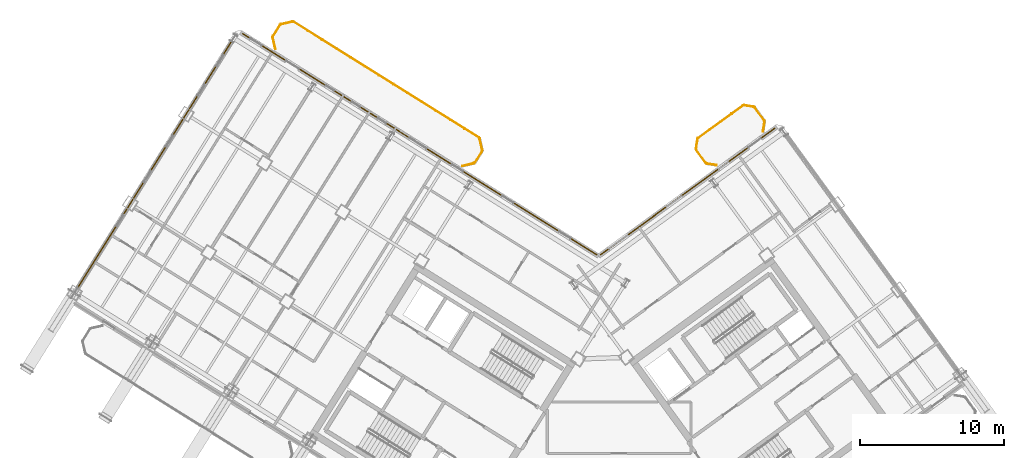
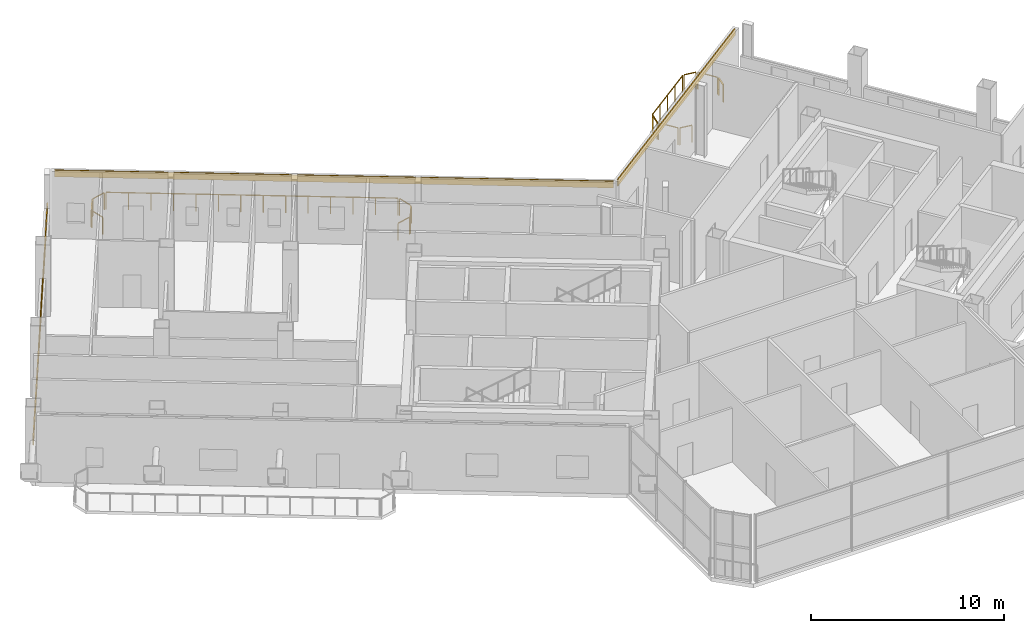
# One storey, part 33 of 34: 14 railings, 3 coverings.
"""IFC4 building model written with IfcOpenShell, lengths in metres."""

from ifc_helpers import new_model, si_unit, direction, frame, origin, origin_2d, place, context, subcontext, project, spatial, rectangle, extrude, source, transform, mapped, material, layer, layer_set, type_object, element, save


model = new_model("IFC4")

# Units and contexts
model_context = context("Model", 3, precision=1e-05, world=origin(), true_north=direction((0.0, 1.0)))
body_context = subcontext(model_context, "Body", "Model", "MODEL_VIEW")
ifc_project = project(units=[si_unit("LENGTHUNIT", "METRE"), si_unit("AREAUNIT", "SQUARE_METRE"), si_unit("VOLUMEUNIT", "CUBIC_METRE"), si_unit("PLANEANGLEUNIT", "RADIAN"), si_unit("MASSUNIT", "GRAM", prefix="KILO")], contexts=[model_context])

# Site, building, storey
site_placement = place(None, origin())
site = spatial("IfcSite", under=ifc_project, at=site_placement, CompositionType="ELEMENT")
building_placement = place(site_placement, origin())
building = spatial("IfcBuilding", under=site, at=building_placement, Name="Tlacorven Tower", CompositionType="ELEMENT")
storey_placement = place(building_placement, frame((0.0, 0.0, 229.199951171875)))
storey = spatial("IfcBuildingStorey", under=building, at=storey_placement, Name="L58", CompositionType="ELEMENT", Elevation=229.199951171875)

# Railings
ifc_material_1 = material(Name="Aluminium and painted steel balustrade", Category="steel")
railing_type = type_object("IfcRailingType", Name="RL-BAL-1100", PredefinedType="BALUSTRADE", material=ifc_material_1)
shared_shape_1 = source(origin(), body_context, "Body", "SweptSolid", [
    extrude(rectangle(XDim=0.048095703125, YDim=0.048095703125, at=origin_2d()), frame((0.0, 0.0, 1.076171875), z_axis=(0.974345290916, 0.225058334816, 0.0), x_axis=(-0.225058334816, 0.974345290916, 0.0)), (0.0, 0.0, 1.0), 0.80712890625),
    extrude(rectangle(XDim=0.0419921875, YDim=0.0419921875, at=origin_2d()), origin(), (0.0, 0.0, 1.0), 1.052001953125),
    extrude(rectangle(XDim=0.0419921875, YDim=0.0419921875, at=origin_2d()), frame((0.786376953125, 0.181640625, 0.0)), (0.0, 0.0, 1.0), 1.052001953125),
])
railing_1_placement = place(storey_placement, frame((20.2138671875, 47.643798828125, 0.0)))
element("IfcRailing", 1, at=railing_1_placement, inside=storey, type_object=railing_type, Name="BAL-L58-W-IN Guard Railing 6", PredefinedType="BALUSTRADE", context=body_context, shape_type="MappedRepresentation", body=[
    mapped(shared_shape_1, transform((0.0, 0.0, 0.0), scale=1.0)),
])
shared_shape_2 = source(origin(), body_context, "Body", "SweptSolid", [
    extrude(rectangle(XDim=0.048095703125, YDim=0.048095703125, at=origin_2d()), frame((0.0, 0.0, 1.076171875), z_axis=(-0.987661653326, 0.156602868908, 0.0), x_axis=(-0.156602868908, -0.987661653326, 0.0)), (0.0, 0.0, 1.0), 0.665771484375),
    extrude(rectangle(XDim=0.0419921875, YDim=0.0419921875, at=origin_2d()), origin(), (0.0, 0.0, 1.0), 1.052001953125),
    extrude(rectangle(XDim=0.0419921875, YDim=0.0419921875, at=origin_2d()), frame((-0.657470703125, 0.104248046875, 0.0)), (0.0, 0.0, 1.0), 1.052001953125),
])
railing_2_placement = place(storey_placement, frame((50.359130859375, 37.891845703125, 0.0)))
element("IfcRailing", 2, at=railing_2_placement, inside=storey, type_object=railing_type, Name="BAL-L58-E-IN Guard Railing 1", PredefinedType="BALUSTRADE", context=body_context, shape_type="MappedRepresentation", body=[
    mapped(shared_shape_2, transform((0.0, 0.0, 0.0), scale=1.0)),
])
shared_shape_3 = source(origin(), body_context, "Body", "SweptSolid", [
    extrude(rectangle(XDim=0.048095703125, YDim=0.048095703125, at=origin_2d()), frame((0.0, 0.0, 1.076171875), z_axis=(0.156602868908, 0.987661653326, 0.0), x_axis=(-0.987661653326, 0.156602868908, 0.0)), (0.0, 0.0, 1.0), 0.665771484375),
    extrude(rectangle(XDim=0.0419921875, YDim=0.0419921875, at=origin_2d()), origin(), (0.0, 0.0, 1.0), 1.052001953125),
    extrude(rectangle(XDim=0.0419921875, YDim=0.0419921875, at=origin_2d()), frame((0.104248046875, 0.657470703125, 0.0)), (0.0, 0.0, 1.0), 1.052001953125),
])
railing_3_placement = place(storey_placement, frame((48.947509765625, 39.033935546875, 0.0)))
element("IfcRailing", 3, at=railing_3_placement, inside=storey, type_object=railing_type, Name="BAL-L58-E-IN Guard Railing 3", PredefinedType="BALUSTRADE", context=body_context, shape_type="MappedRepresentation", body=[
    mapped(shared_shape_3, transform((0.0, 0.0, 0.0), scale=1.0)),
])
shared_shape_4 = source(origin(), body_context, "Body", "SweptSolid", [
    extrude(rectangle(XDim=0.048095703125, YDim=0.048095703125, at=origin_2d()), frame((0.0, 0.0, 1.076171875), z_axis=(-0.156245081039, -0.987718317463, 0.0), x_axis=(0.987718317463, -0.156245081039, 0.0)), (0.0, 0.0, 1.0), 0.66552734375),
    extrude(rectangle(XDim=0.0419921875, YDim=0.0419921875, at=origin_2d()), origin(), (0.0, 0.0, 1.0), 1.052001953125),
    extrude(rectangle(XDim=0.0419921875, YDim=0.0419921875, at=origin_2d()), frame((-0.10400390625, -0.657470703125, 0.0)), (0.0, 0.0, 1.0), 1.052001953125),
])
railing_4_placement = place(storey_placement, frame((53.689453125, 40.893310546875, 0.0)))
element("IfcRailing", 4, at=railing_4_placement, inside=storey, type_object=railing_type, Name="BAL-L58-E-IN Guard Railing 7", PredefinedType="BALUSTRADE", context=body_context, shape_type="MappedRepresentation", body=[
    mapped(shared_shape_4, transform((0.0, 0.0, 0.0), scale=1.0)),
])

# Covering
ifc_material_2 = material(Name="Precast concrete C45/55", Category="concrete")
ifc_layer = layer(ifc_material_2, 0.06005859375)
ifc_layer_set = layer_set([ifc_layer], Name="Precast concrete C45/55")
covering_type = type_object("IfcCoveringType", Name="CV-CLD-TERC", PredefinedType="CLADDING", material=ifc_layer_set)
shared_shape_5 = source(origin(), body_context, "Body", "SweptSolid", [
    extrude(rectangle(XDim=21.287353515625, YDim=0.06005859375, at=origin_2d()), origin(), (0.0, 0.0, 1.0), 0.419921875),
])
covering_1_placement = place(storey_placement, frame((11.419677734375, 37.864013671875, 1.97509765625), z_axis=(0.0, 0.0, 1.0), x_axis=(0.529919147866, 0.848048168871, 0.0)))
element("IfcCovering", 5, at=covering_1_placement, inside=storey, type_object=covering_type, Name="L58 Masonry-Frame Spandrel Cladding 2", PredefinedType="CLADDING", context=body_context, shape_type="MappedRepresentation", body=[
    mapped(shared_shape_5, transform((0.0, 0.0, 0.0), scale=1.0)),
])

# Railings
shared_shape_6 = source(origin(), body_context, "Body", "SweptSolid", [
    extrude(rectangle(XDim=0.048095703125, YDim=0.048095703125, at=origin_2d()), frame((0.0, 0.0, 1.076171875), z_axis=(0.529998940003, 0.847998304005, 0.0), x_axis=(-0.847998304005, 0.529998940003, 0.0)), (0.0, 0.0, 1.0), 0.912109375),
    extrude(rectangle(XDim=0.0419921875, YDim=0.0419921875, at=origin_2d()), origin(), (0.0, 0.0, 1.0), 1.052001953125),
    extrude(rectangle(XDim=0.0419921875, YDim=0.0419921875, at=origin_2d()), frame((0.4833984375, 0.7734375, 0.0)), (0.0, 0.0, 1.0), 1.052001953125),
])
railing_5_placement = place(storey_placement, frame((19.6552734375, 46.816650390625, 0.0)))
element("IfcRailing", 6, at=railing_5_placement, inside=storey, type_object=railing_type, Name="BAL-L58-W-IN Guard Railing 5", PredefinedType="BALUSTRADE", context=body_context, shape_type="MappedRepresentation", body=[
    mapped(shared_shape_6, transform((0.0, 0.0, 0.0), scale=1.0)),
])
shared_shape_7 = source(origin(), body_context, "Body", "SweptSolid", [
    extrude(rectangle(XDim=0.048095703125, YDim=0.048095703125, at=origin_2d()), frame((0.0, 0.0, 1.076171875), z_axis=(0.224992020761, -0.974360606036, 0.0), x_axis=(0.974360606036, 0.224992020761, 0.0)), (0.0, 0.0, 1.0), 0.807373046875),
    extrude(rectangle(XDim=0.0419921875, YDim=0.0419921875, at=origin_2d()), origin(), (0.0, 0.0, 1.0), 1.052001953125),
    extrude(rectangle(XDim=0.0419921875, YDim=0.0419921875, at=origin_2d()), frame((0.181640625, -0.78662109375, 0.0)), (0.0, 0.0, 1.0), 1.052001953125),
])
railing_6_placement = place(storey_placement, frame((33.965087890625, 39.72412109375, 0.0)))
element("IfcRailing", 7, at=railing_6_placement, inside=storey, type_object=railing_type, Name="BAL-L58-W-IN Guard Railing 1", PredefinedType="BALUSTRADE", context=body_context, shape_type="MappedRepresentation", body=[
    mapped(shared_shape_7, transform((0.0, 0.0, 0.0), scale=1.0)),
])
shared_shape_8 = source(origin(), body_context, "Body", "SweptSolid", [
    extrude(rectangle(XDim=0.048095703125, YDim=0.048095703125, at=origin_2d()), frame((0.0, 0.0, 1.076171875), z_axis=(-0.529998940003, -0.847998304005, 0.0), x_axis=(0.847998304005, -0.529998940003, 0.0)), (0.0, 0.0, 1.0), 0.912109375),
    extrude(rectangle(XDim=0.0419921875, YDim=0.0419921875, at=origin_2d()), origin(), (0.0, 0.0, 1.0), 1.052001953125),
    extrude(rectangle(XDim=0.0419921875, YDim=0.0419921875, at=origin_2d()), frame((-0.4833984375, -0.7734375, 0.0)), (0.0, 0.0, 1.0), 1.052001953125),
])
railing_7_placement = place(storey_placement, frame((34.131591796875, 38.846435546875, 0.0)))
element("IfcRailing", 8, at=railing_7_placement, inside=storey, type_object=railing_type, Name="BAL-L58-W-IN Guard Railing 2", PredefinedType="BALUSTRADE", context=body_context, shape_type="MappedRepresentation", body=[
    mapped(shared_shape_8, transform((0.0, 0.0, 0.0), scale=1.0)),
])
shared_shape_9 = source(origin(), body_context, "Body", "SweptSolid", [
    extrude(rectangle(XDim=0.048095703125, YDim=0.048095703125, at=origin_2d()), frame((0.0, 0.0, 1.076171875), z_axis=(-0.974360606036, -0.224992020761, 0.0), x_axis=(0.224992020761, -0.974360606036, 0.0)), (0.0, 0.0, 1.0), 0.807373046875),
    extrude(rectangle(XDim=0.0419921875, YDim=0.0419921875, at=origin_2d()), origin(), (0.0, 0.0, 1.0), 1.052001953125),
    extrude(rectangle(XDim=0.0419921875, YDim=0.0419921875, at=origin_2d()), frame((-0.78662109375, -0.181640625, 0.0)), (0.0, 0.0, 1.0), 1.052001953125),
])
railing_8_placement = place(storey_placement, frame((33.572998046875, 38.019287109375, 0.0)))
element("IfcRailing", 9, at=railing_8_placement, inside=storey, type_object=railing_type, Name="BAL-L58-W-IN Guard Railing 3", PredefinedType="BALUSTRADE", context=body_context, shape_type="MappedRepresentation", body=[
    mapped(shared_shape_9, transform((0.0, 0.0, 0.0), scale=1.0)),
])
shared_shape_10 = source(origin(), body_context, "Body", "SweptSolid", [
    extrude(rectangle(XDim=0.048095703125, YDim=0.048095703125, at=origin_2d()), frame((0.0, 0.0, 1.076171875), z_axis=(-0.22470489119, 0.974426863277, 0.0), x_axis=(-0.974426863277, -0.22470489119, 0.0)), (0.0, 0.0, 1.0), 0.807373046875),
    extrude(rectangle(XDim=0.0419921875, YDim=0.0419921875, at=origin_2d()), origin(), (0.0, 0.0, 1.0), 1.052001953125),
    extrude(rectangle(XDim=0.0419921875, YDim=0.0419921875, at=origin_2d()), frame((-0.181396484375, 0.78662109375, 0.0)), (0.0, 0.0, 1.0), 1.052001953125),
])
railing_9_placement = place(storey_placement, frame((19.821533203125, 45.93896484375, 0.0)))
element("IfcRailing", 10, at=railing_9_placement, inside=storey, type_object=railing_type, Name="BAL-L58-W-IN Guard Railing 4", PredefinedType="BALUSTRADE", context=body_context, shape_type="MappedRepresentation", body=[
    mapped(shared_shape_10, transform((0.0, 0.0, 0.0), scale=1.0)),
])
shared_shape_11 = source(origin(), body_context, "Body", "SweptSolid", [
    extrude(rectangle(XDim=0.048095703125, YDim=0.048095703125, at=origin_2d()), frame((0.0, 0.0, 1.076171875), z_axis=(0.848051830527, -0.529913287944, 0.0), x_axis=(0.529913287944, 0.848051830527, 0.0)), (0.0, 0.0, 1.0), 15.1171875),
    extrude(rectangle(XDim=0.0419921875, YDim=0.0419921875, at=origin_2d()), origin(), (0.0, 0.0, 1.0), 1.052001953125),
    extrude(rectangle(XDim=0.0419921875, YDim=0.0419921875, at=origin_2d()), frame((0.986083984375, -0.6162109375, 0.0)), (0.0, 0.0, 1.0), 1.052001953125),
    extrude(rectangle(XDim=0.0419921875, YDim=0.0419921875, at=origin_2d()), frame((1.972412109375, -1.232421875, 0.0)), (0.0, 0.0, 1.0), 1.052001953125),
    extrude(rectangle(XDim=0.0419921875, YDim=0.0419921875, at=origin_2d()), frame((2.95849609375, -1.8486328125, 0.0)), (0.0, 0.0, 1.0), 1.052001953125),
    extrude(rectangle(XDim=0.0419921875, YDim=0.0419921875, at=origin_2d()), frame((3.944580078125, -2.46484375, 0.0)), (0.0, 0.0, 1.0), 1.052001953125),
    extrude(rectangle(XDim=0.0419921875, YDim=0.0419921875, at=origin_2d()), frame((4.930908203125, -3.0810546875, 0.0)), (0.0, 0.0, 1.0), 1.052001953125),
    extrude(rectangle(XDim=0.0419921875, YDim=0.0419921875, at=origin_2d()), frame((5.9169921875, -3.697265625, 0.0)), (0.0, 0.0, 1.0), 1.052001953125),
    extrude(rectangle(XDim=0.0419921875, YDim=0.0419921875, at=origin_2d()), frame((6.903076171875, -4.3134765625, 0.0)), (0.0, 0.0, 1.0), 1.052001953125),
    extrude(rectangle(XDim=0.0419921875, YDim=0.0419921875, at=origin_2d()), frame((7.88916015625, -4.9296875, 0.0)), (0.0, 0.0, 1.0), 1.052001953125),
    extrude(rectangle(XDim=0.0419921875, YDim=0.0419921875, at=origin_2d()), frame((8.87548828125, -5.5458984375, 0.0)), (0.0, 0.0, 1.0), 1.052001953125),
    extrude(rectangle(XDim=0.0419921875, YDim=0.0419921875, at=origin_2d()), frame((9.861572265625, -6.162109375, 0.0)), (0.0, 0.0, 1.0), 1.052001953125),
    extrude(rectangle(XDim=0.0419921875, YDim=0.0419921875, at=origin_2d()), frame((10.84765625, -6.7783203125, 0.0)), (0.0, 0.0, 1.0), 1.052001953125),
    extrude(rectangle(XDim=0.0419921875, YDim=0.0419921875, at=origin_2d()), frame((11.833984375, -7.39453125, 0.0)), (0.0, 0.0, 1.0), 1.052001953125),
    extrude(rectangle(XDim=0.0419921875, YDim=0.0419921875, at=origin_2d()), frame((12.820068359375, -8.0107421875, 0.0)), (0.0, 0.0, 1.0), 1.052001953125),
])
railing_10_placement = place(storey_placement, frame((21.091552734375, 47.81005859375, 0.0)))
element("IfcRailing", 11, at=railing_10_placement, inside=storey, type_object=railing_type, Name="BAL-L58-W-IN Guard Railing 7", PredefinedType="BALUSTRADE", context=body_context, shape_type="MappedRepresentation", body=[
    mapped(shared_shape_11, transform((0.0, 0.0, 0.0), scale=1.0)),
])
shared_shape_12 = source(origin(), body_context, "Body", "SweptSolid", [
    extrude(rectangle(XDim=0.048095703125, YDim=0.048095703125, at=origin_2d()), frame((0.0, 0.0, 1.076171875), z_axis=(-0.587636431696, 0.809125097957, 0.0), x_axis=(-0.809125097957, -0.587636431696, 0.0)), (0.0, 0.0, 1.0), 1.1123046875),
    extrude(rectangle(XDim=0.0419921875, YDim=0.0419921875, at=origin_2d()), origin(), (0.0, 0.0, 1.0), 1.052001953125),
    extrude(rectangle(XDim=0.0419921875, YDim=0.0419921875, at=origin_2d()), frame((-0.653564453125, 0.89990234375, 0.0)), (0.0, 0.0, 1.0), 1.052001953125),
])
railing_11_placement = place(storey_placement, frame((49.622802734375, 38.044189453125, 0.0)))
element("IfcRailing", 12, at=railing_11_placement, inside=storey, type_object=railing_type, Name="BAL-L58-E-IN Guard Railing 2", PredefinedType="BALUSTRADE", context=body_context, shape_type="MappedRepresentation", body=[
    mapped(shared_shape_12, transform((0.0, 0.0, 0.0), scale=1.0)),
])
shared_shape_13 = source(origin(), body_context, "Body", "SweptSolid", [
    extrude(rectangle(XDim=0.048095703125, YDim=0.048095703125, at=origin_2d()), frame((0.0, 0.0, 1.076171875), z_axis=(0.809018102573, 0.587783726986, 0.0), x_axis=(-0.587783726986, 0.809018102573, 0.0)), (0.0, 0.0, 1.0), 3.817138671875),
    extrude(rectangle(XDim=0.0419921875, YDim=0.0419921875, at=origin_2d()), origin(), (0.0, 0.0, 1.0), 1.052001953125),
    extrude(rectangle(XDim=0.0419921875, YDim=0.0419921875, at=origin_2d()), frame((0.77197265625, 0.56103515625, 0.0)), (0.0, 0.0, 1.0), 1.052001953125),
    extrude(rectangle(XDim=0.0419921875, YDim=0.0419921875, at=origin_2d()), frame((1.5439453125, 1.121826171875, 0.0)), (0.0, 0.0, 1.0), 1.052001953125),
    extrude(rectangle(XDim=0.0419921875, YDim=0.0419921875, at=origin_2d()), frame((2.316162109375, 1.6826171875, 0.0)), (0.0, 0.0, 1.0), 1.052001953125),
    extrude(rectangle(XDim=0.0419921875, YDim=0.0419921875, at=origin_2d()), frame((3.088134765625, 2.24365234375, 0.0)), (0.0, 0.0, 1.0), 1.052001953125),
])
railing_12_placement = place(storey_placement, frame((49.10009765625, 39.77001953125, 0.0)))
element("IfcRailing", 13, at=railing_12_placement, inside=storey, type_object=railing_type, Name="BAL-L58-E-IN Guard Railing 4", PredefinedType="BALUSTRADE", context=body_context, shape_type="MappedRepresentation", body=[
    mapped(shared_shape_13, transform((0.0, 0.0, 0.0), scale=1.0)),
])
shared_shape_14 = source(origin(), body_context, "Body", "SweptSolid", [
    extrude(rectangle(XDim=0.048095703125, YDim=0.048095703125, at=origin_2d()), frame((0.0, 0.0, 1.076171875), z_axis=(0.987661653326, -0.156602868908, 0.0), x_axis=(0.156602868908, 0.987661653326, 0.0)), (0.0, 0.0, 1.0), 0.665771484375),
    extrude(rectangle(XDim=0.0419921875, YDim=0.0419921875, at=origin_2d()), origin(), (0.0, 0.0, 1.0), 1.052001953125),
    extrude(rectangle(XDim=0.0419921875, YDim=0.0419921875, at=origin_2d()), frame((0.657470703125, -0.104248046875, 0.0)), (0.0, 0.0, 1.0), 1.052001953125),
])
railing_13_placement = place(storey_placement, frame((52.278076171875, 42.035400390625, 0.0)))
element("IfcRailing", 14, at=railing_13_placement, inside=storey, type_object=railing_type, Name="BAL-L58-E-IN Guard Railing 5", PredefinedType="BALUSTRADE", context=body_context, shape_type="MappedRepresentation", body=[
    mapped(shared_shape_14, transform((0.0, 0.0, 0.0), scale=1.0)),
])
shared_shape_15 = source(origin(), body_context, "Body", "SweptSolid", [
    extrude(rectangle(XDim=0.048095703125, YDim=0.048095703125, at=origin_2d()), frame((0.0, 0.0, 1.076171875), z_axis=(0.587780115446, -0.809020726488, 0.0), x_axis=(0.809020726488, 0.587780115446, 0.0)), (0.0, 0.0, 1.0), 1.1123046875),
    extrude(rectangle(XDim=0.0419921875, YDim=0.0419921875, at=origin_2d()), origin(), (0.0, 0.0, 1.0), 1.052001953125),
    extrude(rectangle(XDim=0.0419921875, YDim=0.0419921875, at=origin_2d()), frame((0.65380859375, -0.89990234375, 0.0)), (0.0, 0.0, 1.0), 1.052001953125),
])
railing_14_placement = place(storey_placement, frame((53.01416015625, 41.883056640625, 0.0)))
element("IfcRailing", 15, at=railing_14_placement, inside=storey, type_object=railing_type, Name="BAL-L58-E-IN Guard Railing 6", PredefinedType="BALUSTRADE", context=body_context, shape_type="MappedRepresentation", body=[
    mapped(shared_shape_15, transform((0.0, 0.0, 0.0), scale=1.0)),
])

# Coverings
shared_shape_16 = source(origin(), body_context, "Body", "SweptSolid", [
    extrude(rectangle(XDim=28.923095703125, YDim=0.06005859375, at=origin_2d()), origin(), (0.0, 0.0, 1.0), 0.419921875),
])
covering_2_placement = place(storey_placement, frame((29.815185546875, 39.34033203125, 3.800048828125), z_axis=(0.0, 0.0, 1.0), x_axis=(0.848048220257, -0.52991906563, 0.0)))
element("IfcCovering", 16, at=covering_2_placement, inside=storey, type_object=covering_type, Name="L58 Masonry-Frame Spandrel Cladding 3", PredefinedType="CLADDING", context=body_context, shape_type="MappedRepresentation", body=[
    mapped(shared_shape_16, transform((0.0, 0.0, 0.0), scale=1.0)),
])
shared_shape_17 = source(origin(), body_context, "Body", "SweptSolid", [
    extrude(rectangle(XDim=14.923095703125, YDim=0.06005859375, at=origin_2d()), origin(), (0.0, 0.0, 1.0), 0.419921875),
])
covering_3_placement = place(storey_placement, frame((48.3642578125, 36.0712890625, 3.800048828125), z_axis=(0.0, 0.0, 1.0), x_axis=(0.809016703631, 0.587785652468, 0.0)))
element("IfcCovering", 17, at=covering_3_placement, inside=storey, type_object=covering_type, Name="L58 Masonry-Frame Spandrel Cladding 4", PredefinedType="CLADDING", context=body_context, shape_type="MappedRepresentation", body=[
    mapped(shared_shape_17, transform((0.0, 0.0, 0.0), scale=1.0)),
])

save(model, "model.ifc")
